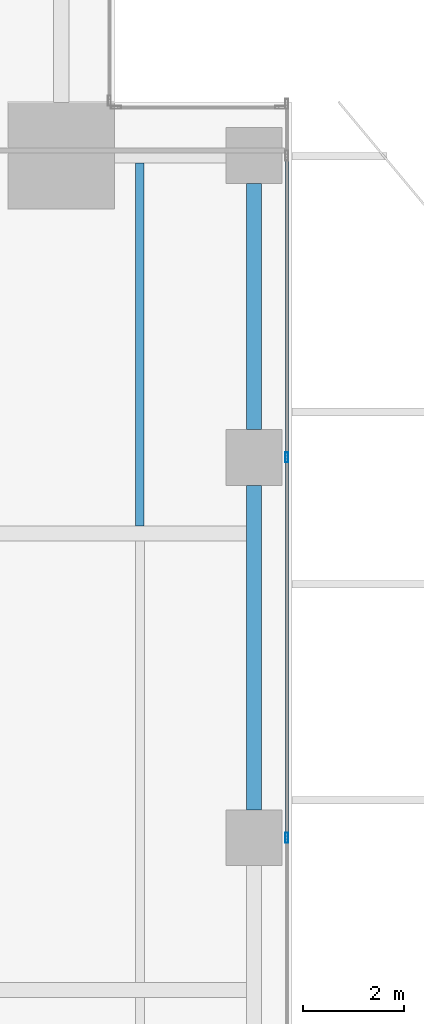
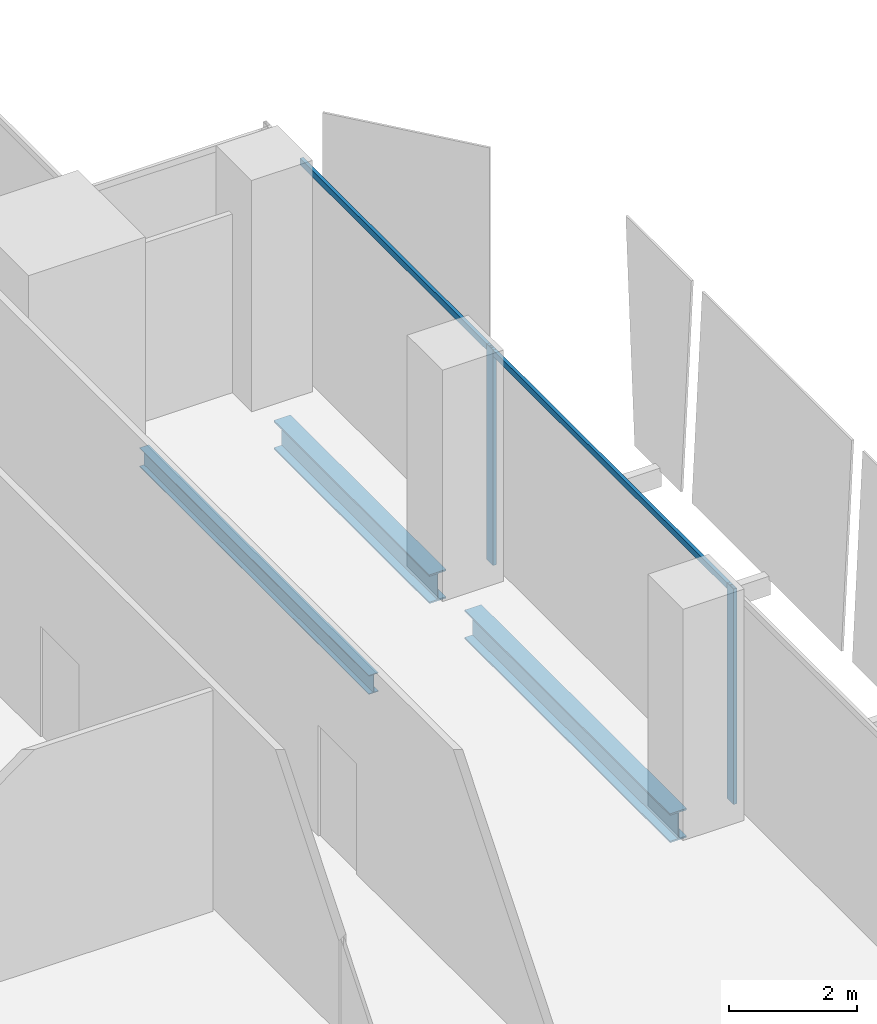
# One storey, part 19 of 34: 4 members, 3 beams, 1 element without a shape of its own.
"""IFC4 building model written with IfcOpenShell, lengths in metres."""

from ifc_helpers import new_model, si_unit, direction, frame, origin, origin_2d, place, context, subcontext, project, spatial, hollow_rectangle, i_section, extrude, source, transform, mapped, material, material_profile, profile_set, type_object, element, aggregate, save


model = new_model("IFC4")

# Units and contexts
model_context = context("Model", 3, precision=1e-05, world=origin(), true_north=direction((0.0, 1.0)))
body_context = subcontext(model_context, "Body", "Model", "MODEL_VIEW")
ifc_project = project(units=[si_unit("LENGTHUNIT", "METRE"), si_unit("AREAUNIT", "SQUARE_METRE"), si_unit("VOLUMEUNIT", "CUBIC_METRE"), si_unit("PLANEANGLEUNIT", "RADIAN"), si_unit("MASSUNIT", "GRAM", prefix="KILO")], contexts=[model_context])

# Site, building, storey
site_placement = place(None, origin())
site = spatial("IfcSite", under=ifc_project, at=site_placement, CompositionType="ELEMENT")
building_placement = place(site_placement, origin())
building = spatial("IfcBuilding", under=site, at=building_placement, Name="Khomas Fold Tower", CompositionType="ELEMENT")
storey_placement = place(building_placement, frame((0.0, 0.0, 154.300048828125)))
storey = spatial("IfcBuildingStorey", under=building, at=storey_placement, Name="L33", CompositionType="ELEMENT", Elevation=154.300048828125)

# Beams
ifc_material_1 = material(Name="Steel S355", Category="steel")
ifc_material_profile_1 = material_profile(ifc_material_1, i_section(OverallWidth=0.169921875, OverallDepth=0.360107421875, WebThickness=0.008056640625, FlangeThickness=0.0126953125, at=origin_2d()), Name="IPE 360")
ifc_profile_set_1 = profile_set([ifc_material_profile_1], Name="Steel S355")
beam_type_1 = type_object("IfcBeamType", Name="IPE 360 beam JB2", PredefinedType="BEAM", material=ifc_profile_set_1)
shared_shape_1 = source(origin(), body_context, "Body", "SweptSolid", [
    extrude(i_section(OverallWidth=0.169921875, OverallDepth=0.360107421875, WebThickness=0.008056640625, FlangeThickness=0.0126953125, at=origin_2d()), origin(), (0.0, 0.0, 1.0), 7.150146484375),
])
beam_1_placement = place(storey_placement, frame((49.5, 40.64990234375, -0.47998046875), z_axis=(0.0, 1.0, 0.0), x_axis=(-1.0, 0.0, 0.0)))
element("IfcBeam", 1, at=beam_1_placement, inside=storey, type_object=beam_type_1, Name="JB2", PredefinedType="BEAM", context=body_context, shape_type="MappedRepresentation", body=[
    mapped(shared_shape_1, transform((0.0, 0.0, 0.0))),
])
ifc_material_2 = material(Name="Steel S355", Category="steel")
ifc_material_profile_2 = material_profile(ifc_material_2, i_section(OverallWidth=0.300048828125, OverallDepth=0.550048828125, WebThickness=0.014892578125, FlangeThickness=0.029052734375, at=origin_2d()), Name="HE 550 B")
ifc_profile_set_2 = profile_set([ifc_material_profile_2], Name="Steel S355")
beam_type_2 = type_object("IfcBeamType", Name="HE 550 B spandrel SB2", PredefinedType="SPANDREL", material=ifc_profile_set_2)
shared_shape_2 = source(origin(), body_context, "Body", "SweptSolid", [
    extrude(i_section(OverallWidth=0.300048828125, OverallDepth=0.550048828125, WebThickness=0.014892578125, FlangeThickness=0.029052734375, at=origin_2d()), origin(), (0.0, 0.0, 1.0), 4.849853515625),
])
beam_2_placement = place(storey_placement, frame((51.75, 42.550048828125, -0.574951171875), z_axis=(0.0, 1.0, 0.0), x_axis=(-1.0, 0.0, 0.0)))
element("IfcBeam", 2, at=beam_2_placement, inside=storey, type_object=beam_type_2, Name="SB2", PredefinedType="SPANDREL", context=body_context, shape_type="MappedRepresentation", body=[
    mapped(shared_shape_2, transform((0.0, 0.0, 0.0))),
])
shared_shape_3 = source(origin(), body_context, "Body", "SweptSolid", [
    extrude(i_section(OverallWidth=0.300048828125, OverallDepth=0.550048828125, WebThickness=0.014892578125, FlangeThickness=0.029052734375, at=origin_2d()), origin(), (0.0, 0.0, 1.0), 6.39990234375),
])
beam_3_placement = place(storey_placement, frame((51.75, 35.050048828125, -0.574951171875), z_axis=(0.0, 1.0, 0.0), x_axis=(-1.0, 0.0, 0.0)))
element("IfcBeam", 3, at=beam_3_placement, inside=storey, type_object=beam_type_2, Name="SB2", PredefinedType="SPANDREL", context=body_context, shape_type="MappedRepresentation", body=[
    mapped(shared_shape_3, transform((0.0, 0.0, 0.0))),
])

# Curtain wall, members
ifc_material_3 = material(Name="Aluminium framed double glazing", Category="aluminium")
curtain_wall_type = type_object("IfcCurtainWallType", Name="SK-Unitised clear-glass wall, growing floors CW1", PredefinedType="NOTDEFINED", material=ifc_material_3)
curtain_wall_placement = place(storey_placement, origin())
curtain_wall = element("IfcCurtainWall", 4, at=curtain_wall_placement, inside=storey, type_object=curtain_wall_type, Name="CW1 run L33 03-0", PredefinedType="NOTDEFINED")
ifc_material_4 = material(Name="Aluminium", Category="aluminium")
ifc_material_profile_3 = material_profile(ifc_material_4, hollow_rectangle(XDim=0.06005859375, YDim=0.1201171875, WallThickness=0.00390625, at=origin_2d()), Name="SK-Unitised clear-glass wall, growing floors transom CW1-T")
ifc_profile_set_3 = profile_set([ifc_material_profile_3], Name="Aluminium")
member_type_1 = type_object("IfcMemberType", Name="SK-Unitised clear-glass wall, growing floors transom CW1-T", PredefinedType="USERDEFINED", material=ifc_profile_set_3)
shared_shape_4 = source(origin(), body_context, "Body", "SweptSolid", [
    extrude(hollow_rectangle(XDim=0.06005859375, YDim=0.1201171875, WallThickness=0.00390625, at=origin_2d()), origin(), (0.0, 0.0, 1.0), 7.43994140625),
])
member_1_placement = place(storey_placement, frame((52.39990234375, 34.530029296875, 4.0400390625), z_axis=(0.0, 1.0, 0.0), x_axis=(-1.0, 0.0, 0.0)))
member_1 = element("IfcMember", 5, at=member_1_placement, type_object=member_type_1, Name="CW1 transom 6", ObjectType="TRANSOM", PredefinedType="USERDEFINED", context=body_context, shape_type="MappedRepresentation", body=[
    mapped(shared_shape_4, transform((0.0, 0.0, 0.0))),
])
shared_shape_5 = source(origin(), body_context, "Body", "SweptSolid", [
    extrude(hollow_rectangle(XDim=0.06005859375, YDim=0.1201171875, WallThickness=0.00390625, at=origin_2d()), origin(), (0.0, 0.0, 1.0), 5.889892578125),
])
member_2_placement = place(storey_placement, frame((52.39990234375, 42.030029296875, 4.0400390625), z_axis=(0.0, 1.0, 0.0), x_axis=(-1.0, 0.0, 0.0)))
member_2 = element("IfcMember", 6, at=member_2_placement, type_object=member_type_1, Name="CW1 transom 7", ObjectType="TRANSOM", PredefinedType="USERDEFINED", context=body_context, shape_type="MappedRepresentation", body=[
    mapped(shared_shape_5, transform((0.0, 0.0, 0.0))),
])
ifc_material_5 = material(Name="Aluminium", Category="aluminium")
ifc_material_profile_4 = material_profile(ifc_material_5, hollow_rectangle(XDim=0.06005859375, YDim=0.199951171875, WallThickness=0.00390625, at=origin_2d()), Name="SK-Unitised clear-glass wall, growing floors mullion CW1-M")
ifc_profile_set_4 = profile_set([ifc_material_profile_4], Name="Aluminium")
member_type_2 = type_object("IfcMemberType", Name="SK-Unitised clear-glass wall, growing floors mullion CW1-M", PredefinedType="MULLION", material=ifc_profile_set_4)
shared_shape_6 = source(origin(), body_context, "Body", "SweptSolid", [
    extrude(hollow_rectangle(XDim=0.06005859375, YDim=0.199951171875, WallThickness=0.00390625, at=origin_2d()), origin(), (0.0, 0.0, 1.0), 4.099853515625),
])
member_3_placement = place(storey_placement, frame((52.39990234375, 34.5, 0.0), z_axis=(0.0, 0.0, 1.0), x_axis=(-1.0, 0.0, 0.0)))
member_3 = element("IfcMember", 7, at=member_3_placement, type_object=member_type_2, Name="CW1 mullion 6", PredefinedType="MULLION", context=body_context, shape_type="MappedRepresentation", body=[
    mapped(shared_shape_6, transform((0.0, 0.0, 0.0))),
])
member_4_placement = place(storey_placement, frame((52.39990234375, 42.0, 0.0), z_axis=(0.0, 0.0, 1.0), x_axis=(-1.0, 0.0, 0.0)))
member_4 = element("IfcMember", 8, at=member_4_placement, type_object=member_type_2, Name="CW1 mullion 7", PredefinedType="MULLION", context=body_context, shape_type="MappedRepresentation", body=[
    mapped(shared_shape_6, transform((0.0, 0.0, 0.0))),
])
aggregate(curtain_wall, [member_3, member_4, member_1, member_2])

save(model, "model.ifc")
